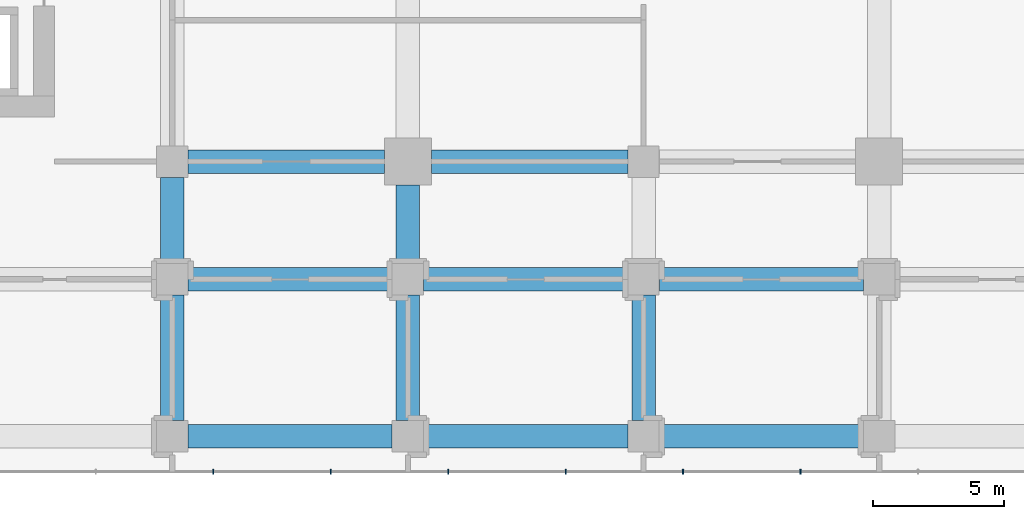
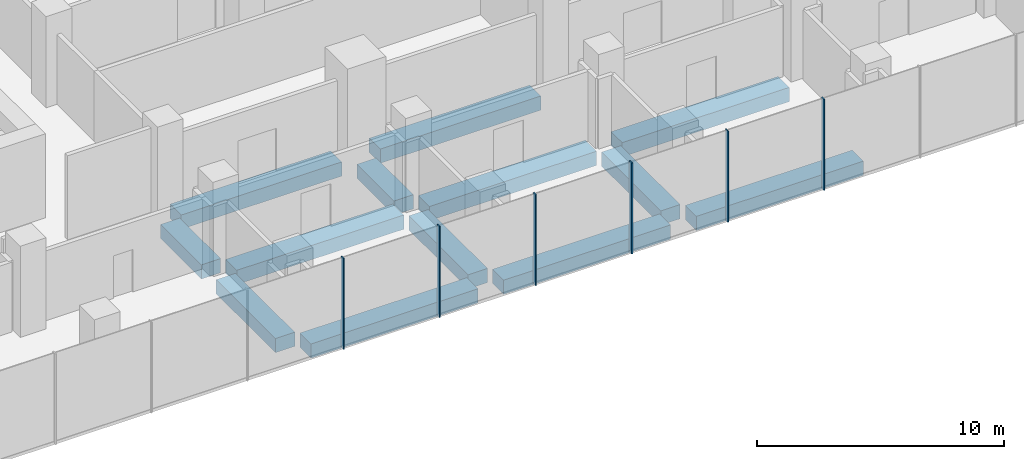
# One storey, part 4 of 43: 13 beams, 6 members, 1 element without a shape of its own.
"""IFC4 building model written with IfcOpenShell, lengths in metres."""

import ifcopenshell
import ifcopenshell.guid

model = None  # the IFC model being written
_history = None  # IfcOwnerHistory: only IFC2X3 demands one
_inside = {}  # id of a spatial element -> (the spatial element, [elements in it])
_under = {}  # id of a project, library or spatial element -> (it, [spatial elements below it])
_declared = {}  # id of a project -> (the project, [libraries it declares])
_typed = {}  # id of a type object -> (the type object, [elements of that type])
_made_of = {}  # id of a material, layer set ... -> (it, [elements and type objects made of it])


def new_model(schema):
    """Start an empty IFC model of exactly this schema.

    Asked for "IFC4X3", IfcOpenShell would pick the latest addendum, in which some entities
    have other attributes; the version numbers below select the first issue.
    IFC2X3 requires an IfcOwnerHistory on every rooted entity: one is made here for all.
    """
    global model, _history
    if schema == "IFC4X3":
        model = ifcopenshell.file(schema_version=(4, 3, 0, 0))
    else:
        model = ifcopenshell.file(schema=schema)
    _inside.clear()
    _under.clear()
    _declared.clear()
    _typed.clear()
    _made_of.clear()
    _history = None
    if model.schema == "IFC2X3":
        org = make("IfcOrganization", Name="unknown")
        user = make(
            "IfcPersonAndOrganization",
            ThePerson=make("IfcPerson", FamilyName="unknown"),
            TheOrganization=org,
        )
        app = make(
            "IfcApplication",
            ApplicationDeveloper=org,
            Version="unknown",
            ApplicationFullName="unknown",
            ApplicationIdentifier="unknown",
        )
        _history = make(
            "IfcOwnerHistory",
            OwningUser=user,
            OwningApplication=app,
            ChangeAction="ADDED",
            CreationDate=0,
        )
    return model


def make(cls, **values):
    """One entity of the class cls with the attributes given. An attribute that is None is left unset."""
    return model.create_entity(
        cls, **{name: value for name, value in values.items() if value is not None}
    )


def rooted(cls, **values):
    """An entity with a GlobalId (a new one), such as an element, a storey or a relation."""
    return make(cls, GlobalId=ifcopenshell.guid.new(), OwnerHistory=_history, **values)


def si_unit(unit_type, name, prefix=None):
    """IfcSIUnit, for example si_unit("LENGTHUNIT", "METRE", prefix="MILLI")."""
    return make("IfcSIUnit", UnitType=unit_type, Prefix=prefix, Name=name)


def assignment(units):
    """IfcUnitAssignment: the units of a project."""
    return None if units is None else make("IfcUnitAssignment", Units=units)


def point(xyz):
    """IfcCartesianPoint."""
    return None if xyz is None else make("IfcCartesianPoint", Coordinates=xyz)


def direction(xyz):
    """IfcDirection."""
    return None if xyz is None else make("IfcDirection", DirectionRatios=xyz)


def frame(location, z_axis=None, x_axis=None):
    """IfcAxis2Placement3D, a coordinate frame: its origin and axes. An axis left out is left unset."""
    return make(
        "IfcAxis2Placement3D",
        Location=point(location),
        Axis=direction(z_axis),
        RefDirection=direction(x_axis),
    )


def frame_2d(location, x_axis=None):
    """IfcAxis2Placement2D, a coordinate frame in the plane: its origin and x axis."""
    return make(
        "IfcAxis2Placement2D", Location=point(location), RefDirection=direction(x_axis)
    )


def origin():
    """The frame at (0, 0, 0) with its axes left unset."""
    return frame((0.0, 0.0, 0.0))


def origin_2d():
    """The frame at (0, 0) in the plane with its x axis left unset."""
    return frame_2d((0.0, 0.0))


def place(relative_to, where):
    """IfcLocalPlacement: puts the frame where relative to a parent placement (None: the world)."""
    return make(
        "IfcLocalPlacement", PlacementRelTo=relative_to, RelativePlacement=where
    )


def context(
    kind, dimensions, precision=None, world=None, true_north=None, identifier=None
):
    """IfcGeometricRepresentationContext, for example the 3D "Model" context."""
    return make(
        "IfcGeometricRepresentationContext",
        ContextIdentifier=identifier,
        ContextType=kind,
        CoordinateSpaceDimension=dimensions,
        Precision=precision,
        WorldCoordinateSystem=world,
        TrueNorth=true_north,
    )


def subcontext(parent, identifier, kind, view, scale=None):
    """IfcGeometricRepresentationSubContext, for example "Body" below "Model"."""
    return make(
        "IfcGeometricRepresentationSubContext",
        ContextIdentifier=identifier,
        ContextType=kind,
        ParentContext=parent,
        TargetScale=scale,
        TargetView=view,
    )


def project(units=None, contexts=None):
    """IfcProject with its units and contexts."""
    return rooted(
        "IfcProject",
        Name="project",
        RepresentationContexts=contexts,
        UnitsInContext=assignment(units),
    )


def spatial(cls, under=None, at=None, **own):
    """A site, building, storey or space (cls), placed at a placement, below another one or the project."""
    s = rooted(cls, ObjectPlacement=at, **own)
    if under is not None:
        _under.setdefault(under.id(), (under, []))[1].append(s)
    return s


def profile(cls, at=None, kind="AREA", **sizes):
    """A parametric profile (cls). Its sizes go by their IFC names, for example OverallWidth=200.0."""
    return make(cls, ProfileType=kind, Position=at, **sizes)


def rectangle(**sizes):
    """IfcRectangleProfileDef."""
    return profile("IfcRectangleProfileDef", **sizes)


def extrude(swept, where, along, depth):
    """IfcExtrudedAreaSolid: the profile swept, set in the frame where, extruded along a direction by depth."""
    return make(
        "IfcExtrudedAreaSolid",
        SweptArea=swept,
        Position=where,
        ExtrudedDirection=direction(along),
        Depth=depth,
    )


def shape(context_of_items, identifier, shape_type, items):
    """IfcShapeRepresentation: the items that make up one representation, for example the "Body"."""
    return make(
        "IfcShapeRepresentation",
        ContextOfItems=context_of_items,
        RepresentationIdentifier=identifier,
        RepresentationType=shape_type,
        Items=items,
    )


def material(Name=None, Category=None):
    """IfcMaterial."""
    return make("IfcMaterial", Name=Name, Category=Category)


def layer(
    of_material, thickness, ventilated=None, Name=None, Category=None, Priority=None
):
    """IfcMaterialLayer: one layer of a wall or slab, of a material (None: an air gap)."""
    return make(
        "IfcMaterialLayer",
        Material=of_material,
        LayerThickness=thickness,
        IsVentilated=ventilated,
        Name=Name,
        Category=Category,
        Priority=Priority,
    )


def layer_set(layers, Name=None):
    """IfcMaterialLayerSet."""
    return make("IfcMaterialLayerSet", MaterialLayers=layers, LayerSetName=Name)


def material_profile(
    of_material, cross_section, Name=None, Category=None, Priority=None
):
    """IfcMaterialProfile: a cross section and its material."""
    return make(
        "IfcMaterialProfile",
        Name=Name,
        Material=of_material,
        Profile=cross_section,
        Priority=Priority,
        Category=Category,
    )


def profile_set(profiles, Name=None, composite=None):
    """IfcMaterialProfileSet."""
    return make(
        "IfcMaterialProfileSet",
        Name=Name,
        MaterialProfiles=profiles,
        CompositeProfile=composite,
    )


def made_of(thing, what):
    """Note that an element or type object is made of a material, layer set ...; save() writes the relation."""
    if what is not None:
        _made_of.setdefault(what.id(), (what, []))[1].append(thing)
    return thing


def type_object(cls, material=None, **own):
    """A type object (cls), such as IfcWallType, which elements share."""
    return made_of(rooted(cls, **own), material)


def element(
    cls,
    number,
    at=None,
    inside=None,
    cuts=None,
    type_object=None,
    material=None,
    context=None,
    identifier="Body",
    shape_type=None,
    held_by="IfcProductDefinitionShape",
    body=None,
    shapes=None,
    **own,
):
    """One element of the class cls, such as IfcWall. Its Tag is "e" and its number.

    at: its placement. inside: the storey or other place that contains it. cuts: it is an
    opening in that element (IfcRelVoidsElement). A single representation is given by context,
    identifier, shape_type and body (its items); several are given by shapes. held_by: the class
    of the entity that holds the representations. save() writes the other relations.
    """
    e = rooted(cls, Tag="e%d" % number, ObjectPlacement=at, **own)
    if body is not None:
        shapes = [shape(context, identifier, shape_type, body)]
    if shapes is not None:
        e.Representation = make(held_by, Representations=shapes)
    if inside is not None:
        _inside.setdefault(inside.id(), (inside, []))[1].append(e)
    if cuts is not None:
        rooted(
            "IfcRelVoidsElement", RelatingBuildingElement=cuts, RelatedOpeningElement=e
        )
    if type_object is not None:
        _typed.setdefault(type_object.id(), (type_object, []))[1].append(e)
    return made_of(e, material)


def aggregate(whole, parts):
    """IfcRelAggregates: a whole, such as a stair, and the parts it consists of."""
    return rooted("IfcRelAggregates", RelatingObject=whole, RelatedObjects=parts)


def save(model, path):
    """Write the relations noted so far, then the file.

    IfcRelAggregates (storeys below a building ...), IfcRelContainedInSpatialStructure (elements
    in a storey), IfcRelDefinesByType, IfcRelAssociatesMaterial and IfcRelDeclares: one each for
    every whole, place, type object, material and project.
    """
    for whole, parts in _under.values():
        aggregate(whole, parts)
    for where, things in _inside.values():
        rooted(
            "IfcRelContainedInSpatialStructure",
            RelatedElements=things,
            RelatingStructure=where,
        )
    for kind, things in _typed.values():
        rooted("IfcRelDefinesByType", RelatedObjects=things, RelatingType=kind)
    for what, things in _made_of.values():
        rooted("IfcRelAssociatesMaterial", RelatedObjects=things, RelatingMaterial=what)
    for by, libraries in _declared.values():
        rooted("IfcRelDeclares", RelatingContext=by, RelatedDefinitions=libraries)
    model.write(path)


model = new_model("IFC4")

# Units and contexts
model_context = context("Model", 3, precision=1e-05, world=origin(), true_north=direction((0.0, 1.0)))
body_context = subcontext(model_context, "Body", "Model", "MODEL_VIEW")
ifc_project = project(units=[si_unit("LENGTHUNIT", "METRE"), si_unit("AREAUNIT", "SQUARE_METRE"), si_unit("VOLUMEUNIT", "CUBIC_METRE"), si_unit("PLANEANGLEUNIT", "RADIAN"), si_unit("MASSUNIT", "GRAM", prefix="KILO")], contexts=[model_context])

# Site, building, storey
site_placement = place(None, origin())
site = spatial("IfcSite", under=ifc_project, at=site_placement, CompositionType="ELEMENT")
building_placement = place(site_placement, origin())
building = spatial("IfcBuilding", under=site, at=building_placement, Name="Plateau Cross Towers", CompositionType="ELEMENT")
storey_placement = place(building_placement, frame((0.0, 0.0, 12.800048828125)))
storey = spatial("IfcBuildingStorey", under=building, at=storey_placement, Name="L02", CompositionType="ELEMENT", Elevation=12.800048828125)

# Curtain wall, members
ifc_material_1 = material(Name="Dark low-iron laminated glass", Category="glass")
ifc_layer = layer(ifc_material_1, 0.300048828125)
ifc_layer_set = layer_set([ifc_layer], Name="Dark low-iron laminated glass")
curtain_wall_type = type_object("IfcCurtainWallType", Name="Curtain wall structural silicone CW-C", PredefinedType="NOTDEFINED", material=ifc_layer_set)
curtain_wall_placement = place(storey_placement, origin())
curtain_wall = element("IfcCurtainWall", 1, at=curtain_wall_placement, inside=storey, type_object=curtain_wall_type, Name="ENV/P/L02/P-28_-118", PredefinedType="NOTDEFINED")
ifc_material_2 = material(Name="Black anodised aluminium", Category="aluminium")
ifc_material_profile_1 = material_profile(ifc_material_2, rectangle(XDim=0.050048828125, YDim=0.199951171875, at=origin_2d()), Name="MULLION 50x200")
ifc_profile_set_1 = profile_set([ifc_material_profile_1], Name="Black anodised aluminium")
member_type = type_object("IfcMemberType", Name="Mullion 50x200 structural silicone", PredefinedType="MULLION", material=ifc_profile_set_1)
member_1_placement = place(storey_placement, frame((28.5625, -11.85009765625, -0.35009765625), z_axis=(0.0, 0.0, 1.0), x_axis=(1.0, 0.0, 0.0)))
member_1 = element("IfcMember", 2, at=member_1_placement, type_object=member_type, Name="CW-C mullion 8", PredefinedType="MULLION", context=body_context, shape_type="SweptSolid", body=[
    extrude(rectangle(XDim=0.050048828125, YDim=0.199951171875, at=origin_2d()), origin(), (0.0, 0.0, 1.0), 4.5),
])
member_2_placement = place(storey_placement, frame((33.050048828125, -11.85009765625, -0.35009765625), z_axis=(0.0, 0.0, 1.0), x_axis=(1.0, 0.0, 0.0)))
member_2 = element("IfcMember", 3, at=member_2_placement, type_object=member_type, Name="CW-C mullion 9", PredefinedType="MULLION", context=body_context, shape_type="SweptSolid", body=[
    extrude(rectangle(XDim=0.050048828125, YDim=0.199951171875, at=origin_2d()), origin(), (0.0, 0.0, 1.0), 4.5),
])
member_3_placement = place(storey_placement, frame((37.53759765625, -11.85009765625, -0.35009765625), z_axis=(0.0, 0.0, 1.0), x_axis=(1.0, 0.0, 0.0)))
member_3 = element("IfcMember", 4, at=member_3_placement, type_object=member_type, Name="CW-C mullion 10", PredefinedType="MULLION", context=body_context, shape_type="SweptSolid", body=[
    extrude(rectangle(XDim=0.050048828125, YDim=0.199951171875, at=origin_2d()), origin(), (0.0, 0.0, 1.0), 4.5),
])
member_4_placement = place(storey_placement, frame((42.02490234375, -11.85009765625, -0.35009765625), z_axis=(0.0, 0.0, 1.0), x_axis=(1.0, 0.0, 0.0)))
member_4 = element("IfcMember", 5, at=member_4_placement, type_object=member_type, Name="CW-C mullion 11", PredefinedType="MULLION", context=body_context, shape_type="SweptSolid", body=[
    extrude(rectangle(XDim=0.050048828125, YDim=0.199951171875, at=origin_2d()), origin(), (0.0, 0.0, 1.0), 4.5),
])
member_5_placement = place(storey_placement, frame((46.512451171875, -11.85009765625, -0.35009765625), z_axis=(0.0, 0.0, 1.0), x_axis=(1.0, 0.0, 0.0)))
member_5 = element("IfcMember", 6, at=member_5_placement, type_object=member_type, Name="CW-C mullion 12", PredefinedType="MULLION", context=body_context, shape_type="SweptSolid", body=[
    extrude(rectangle(XDim=0.050048828125, YDim=0.199951171875, at=origin_2d()), origin(), (0.0, 0.0, 1.0), 4.5),
])
member_6_placement = place(storey_placement, frame((51.0, -11.85009765625, -0.35009765625), z_axis=(0.0, 0.0, 1.0), x_axis=(1.0, 0.0, 0.0)))
member_6 = element("IfcMember", 7, at=member_6_placement, type_object=member_type, Name="CW-C mullion 13", PredefinedType="MULLION", context=body_context, shape_type="SweptSolid", body=[
    extrude(rectangle(XDim=0.050048828125, YDim=0.199951171875, at=origin_2d()), origin(), (0.0, 0.0, 1.0), 4.5),
])
aggregate(curtain_wall, [member_1, member_2, member_3, member_4, member_5, member_6])

# Beams
ifc_material_3 = material(Name="Concrete C50/60", Category="concrete")
ifc_material_profile_2 = material_profile(ifc_material_3, rectangle(XDim=0.89990234375, YDim=0.699951171875, at=origin_2d()), Name="RC 900x700")
ifc_profile_set_2 = profile_set([ifc_material_profile_2], Name="Concrete C50/60")
beam_type = type_object("IfcBeamType", Name="Podium band beam RC 900x700", PredefinedType="BEAM", material=ifc_profile_set_2)
for number, where, z_axis, x_axis, name in (
    (8, (27.60009765625, -10.5, -0.699951171875), (1.0, 0.0, 0.0), (0.0, 1.0, 0.0), "PB05@L02"),
    (9, (36.60009765625, -10.5, -0.699951171875), (1.0, 0.0, 0.0), (0.0, 1.0, 0.0), "PB06@L02"),
    (10, (45.60009765625, -10.5, -0.699951171875), (1.0, 0.0, 0.0), (0.0, 1.0, 0.0), "PB07@L02"),
    (11, (27.60009765625, -4.5, -0.699951171875), (1.0, 0.0, 0.0), (0.0, 1.0, 0.0), "PB18@L02"),
    (12, (36.60009765625, -4.5, -0.699951171875), (1.0, 0.0, 0.0), (0.0, 1.0, 0.0), "PB19@L02"),
    (13, (45.60009765625, -4.5, -0.699951171875), (1.0, 0.0, 0.0), (0.0, 1.0, 0.0), "PB20@L02"),
):
    element("IfcBeam", number, at=place(storey_placement, frame(where, z_axis=z_axis, x_axis=x_axis)), inside=storey, type_object=beam_type, Name=name, PredefinedType="BEAM", context=body_context, shape_type="SweptSolid", body=[
        extrude(rectangle(XDim=0.89990234375, YDim=0.699951171875, at=origin_2d()), origin(), (0.0, 0.0, 1.0), 7.7998046875),
    ])
for number, where, z_axis, x_axis, name in (
    (14, (27.60009765625, 0.0, -0.699951171875), (1.0, 0.0, 0.0), (0.0, 1.0, 0.0), "PB22@L02"),
    (15, (36.89990234375, 0.0, -0.699951171875), (1.0, 0.0, 0.0), (0.0, 1.0, 0.0), "PB23@L02"),
):
    element("IfcBeam", number, at=place(storey_placement, frame(where, z_axis=z_axis, x_axis=x_axis)), inside=storey, type_object=beam_type, Name=name, PredefinedType="BEAM", context=body_context, shape_type="SweptSolid", body=[
        extrude(rectangle(XDim=0.89990234375, YDim=0.699951171875, at=origin_2d()), origin(), (0.0, 0.0, 1.0), 7.5),
    ])
beam_1_placement = place(storey_placement, frame((27.0, -9.89990234375, -0.699951171875), z_axis=(0.0, 1.0, 0.0), x_axis=(-1.0, 0.0, 0.0)))
element("IfcBeam", 16, at=beam_1_placement, inside=storey, type_object=beam_type, Name="PB114@L02", PredefinedType="BEAM", context=body_context, shape_type="SweptSolid", body=[
    extrude(rectangle(XDim=0.89990234375, YDim=0.699951171875, at=origin_2d()), origin(), (0.0, 0.0, 1.0), 4.7998046875),
])
beam_2_placement = place(storey_placement, frame((27.0, -3.89990234375, -0.699951171875), z_axis=(0.0, 1.0, 0.0), x_axis=(-1.0, 0.0, 0.0)))
element("IfcBeam", 17, at=beam_2_placement, inside=storey, type_object=beam_type, Name="PB115@L02", PredefinedType="BEAM", context=body_context, shape_type="SweptSolid", body=[
    extrude(rectangle(XDim=0.89990234375, YDim=0.699951171875, at=origin_2d()), origin(), (0.0, 0.0, 1.0), 3.2998046875),
])
beam_3_placement = place(storey_placement, frame((36.0, -9.89990234375, -0.699951171875), z_axis=(0.0, 1.0, 0.0), x_axis=(-1.0, 0.0, 0.0)))
element("IfcBeam", 18, at=beam_3_placement, inside=storey, type_object=beam_type, Name="PB123@L02", PredefinedType="BEAM", context=body_context, shape_type="SweptSolid", body=[
    extrude(rectangle(XDim=0.89990234375, YDim=0.699951171875, at=origin_2d()), origin(), (0.0, 0.0, 1.0), 4.7998046875),
])
beam_4_placement = place(storey_placement, frame((36.0, -3.89990234375, -0.699951171875), z_axis=(0.0, 1.0, 0.0), x_axis=(-1.0, 0.0, 0.0)))
element("IfcBeam", 19, at=beam_4_placement, inside=storey, type_object=beam_type, Name="PB124@L02", PredefinedType="BEAM", context=body_context, shape_type="SweptSolid", body=[
    extrude(rectangle(XDim=0.89990234375, YDim=0.699951171875, at=origin_2d()), origin(), (0.0, 0.0, 1.0), 3.0),
])
beam_5_placement = place(storey_placement, frame((45.0, -9.89990234375, -0.699951171875), z_axis=(0.0, 1.0, 0.0), x_axis=(-1.0, 0.0, 0.0)))
element("IfcBeam", 20, at=beam_5_placement, inside=storey, type_object=beam_type, Name="PB132@L02", PredefinedType="BEAM", context=body_context, shape_type="SweptSolid", body=[
    extrude(rectangle(XDim=0.89990234375, YDim=0.699951171875, at=origin_2d()), origin(), (0.0, 0.0, 1.0), 4.7998046875),
])

save(model, "model.ifc")
